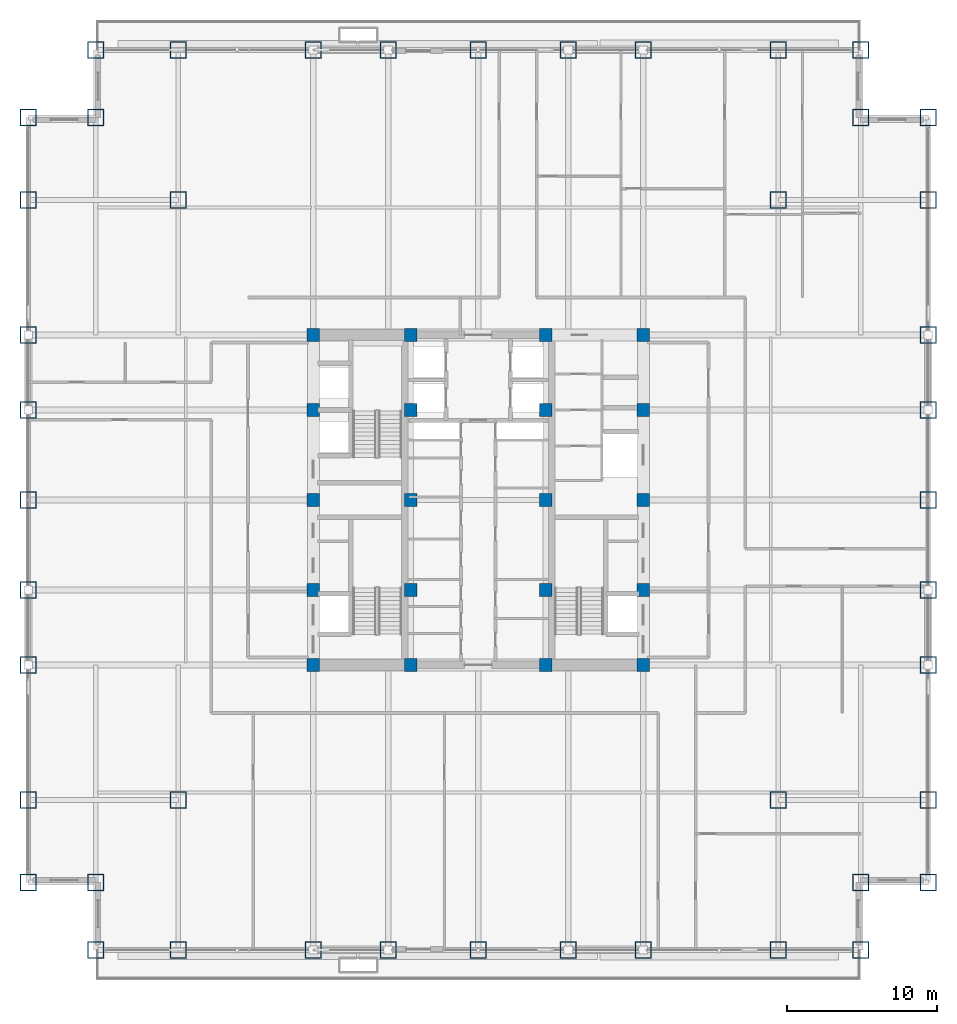
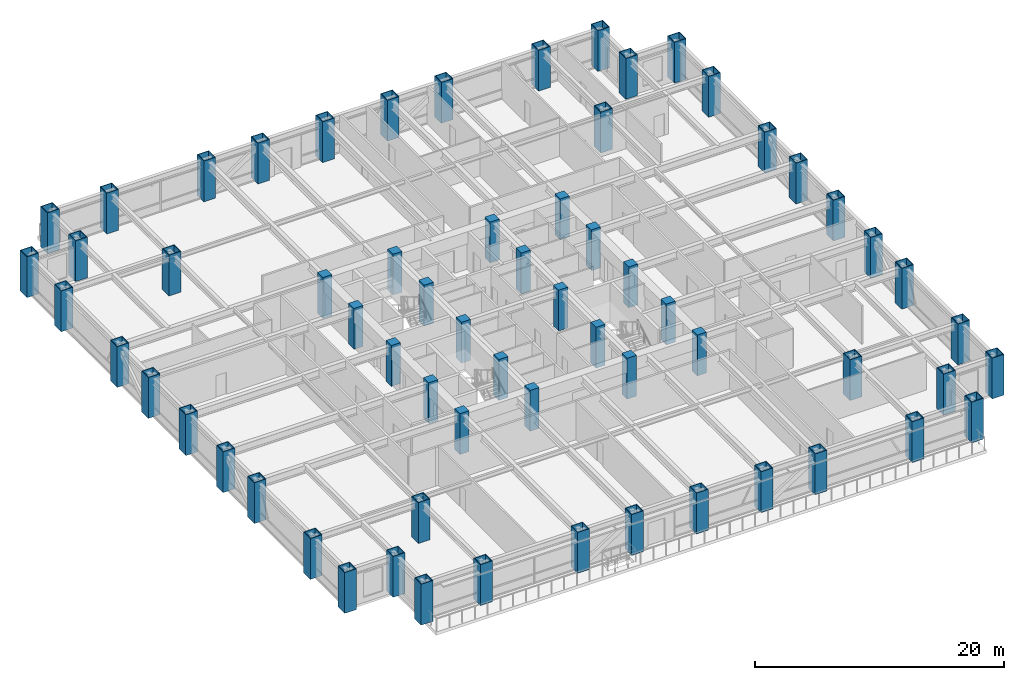
# One storey, part 1 of 35: 64 columns.
"""IFC4 building model written with IfcOpenShell, lengths in metres."""

from ifc_helpers import new_model, si_unit, direction, frame, origin, origin_2d, place, context, subcontext, project, spatial, rectangle, hollow_rectangle, extrude, source, transform, mapped, material, material_profile, profile_set, type_object, element, save


model = new_model("IFC4")

# Units and contexts
model_context = context("Model", 3, precision=1e-05, world=origin(), true_north=direction((0.0, 1.0)))
body_context = subcontext(model_context, "Body", "Model", "MODEL_VIEW")
ifc_project = project(units=[si_unit("LENGTHUNIT", "METRE"), si_unit("AREAUNIT", "SQUARE_METRE"), si_unit("VOLUMEUNIT", "CUBIC_METRE"), si_unit("PLANEANGLEUNIT", "RADIAN"), si_unit("MASSUNIT", "GRAM", prefix="KILO")], contexts=[model_context])

# Site, building, storey
site_placement = place(None, origin())
site = spatial("IfcSite", under=ifc_project, at=site_placement, CompositionType="ELEMENT")
building_placement = place(site_placement, origin())
building = spatial("IfcBuilding", under=site, at=building_placement, Name="Khorayat Bourse Tower", CompositionType="ELEMENT")
storey_placement = place(building_placement, frame((0.0, 0.0, 155.10009765625)))
storey = spatial("IfcBuildingStorey", under=building, at=storey_placement, Name="L35", CompositionType="ELEMENT", Elevation=155.10009765625)

# Columns
ifc_material_1 = material(Name="Steel EN 10025-4 S460M", Category="steel")
ifc_material_profile_1 = material_profile(ifc_material_1, hollow_rectangle(XDim=1.10009765625, YDim=1.10009765625, WallThickness=0.06005859375, at=origin_2d()), Name="BOX 1100x1100x60")
ifc_profile_set_1 = profile_set([ifc_material_profile_1], Name="Steel EN 10025-4 S460M")
column_type_1 = type_object("IfcColumnType", Name="COL-TUBE-1100", PredefinedType="COLUMN", material=ifc_profile_set_1)
shared_shape_1 = source(origin(), body_context, "Body", "SweptSolid", [
    extrude(hollow_rectangle(XDim=1.10009765625, YDim=1.10009765625, WallThickness=0.06005859375, at=origin_2d()), origin(), (0.0, 0.0, 1.0), 4.0),
])
for number, where, z_axis, x_axis, name in (
    (1, (-30.0, -25.5, 0.0), (0.0, 0.0, 1.0), (1.0, 0.0, 0.0), "L35 Column 001"),
    (2, (-30.0, -20.0, 0.0), (0.0, 0.0, 1.0), (1.0, 0.0, 0.0), "L35 Column 002"),
    (3, (-30.0, -11.0, 0.0), (0.0, 0.0, 1.0), (1.0, 0.0, 0.0), "L35 Column 003"),
    (4, (-30.0, -6.0, 0.0), (0.0, 0.0, 1.0), (1.0, 0.0, 0.0), "L35 Column 004"),
    (5, (-30.0, 0.0, 0.0), (0.0, 0.0, 1.0), (1.0, 0.0, 0.0), "L35 Column 005"),
    (6, (-30.0, 6.0, 0.0), (0.0, 0.0, 1.0), (1.0, 0.0, 0.0), "L35 Column 006"),
    (7, (-30.0, 11.0, 0.0), (0.0, 0.0, 1.0), (1.0, 0.0, 0.0), "L35 Column 007"),
    (8, (-30.0, 20.0, 0.0), (0.0, 0.0, 1.0), (1.0, 0.0, 0.0), "L35 Column 008"),
    (9, (-30.0, 25.5, 0.0), (0.0, 0.0, 1.0), (1.0, 0.0, 0.0), "L35 Column 009"),
    (10, (-25.5, -30.0, 0.0), (0.0, 0.0, 1.0), (1.0, 0.0, 0.0), "L35 Column 010"),
    (11, (-25.5, -25.5, 0.0), (0.0, 0.0, 1.0), (1.0, 0.0, 0.0), "L35 Column 011"),
    (12, (-25.5, 25.5, 0.0), (0.0, 0.0, 1.0), (1.0, 0.0, 0.0), "L35 Column 012"),
    (13, (-25.5, 30.0, 0.0), (0.0, 0.0, 1.0), (1.0, 0.0, 0.0), "L35 Column 013"),
    (14, (-20.0, -30.0, 0.0), (0.0, 0.0, 1.0), (1.0, 0.0, 0.0), "L35 Column 014"),
    (15, (-20.0, -20.0, 0.0), (0.0, 0.0, 1.0), (1.0, 0.0, 0.0), "L35 Column 015"),
    (16, (-20.0, 20.0, 0.0), (0.0, 0.0, 1.0), (1.0, 0.0, 0.0), "L35 Column 016"),
    (17, (-20.0, 30.0, 0.0), (0.0, 0.0, 1.0), (1.0, 0.0, 0.0), "L35 Column 017"),
    (18, (-11.0, -30.0, 0.0), (0.0, 0.0, 1.0), (1.0, 0.0, 0.0), "L35 Column 018"),
    (19, (-11.0, 30.0, 0.0), (0.0, 0.0, 1.0), (1.0, 0.0, 0.0), "L35 Column 024"),
    (20, (-6.0, -30.0, 0.0), (0.0, 0.0, 1.0), (1.0, 0.0, 0.0), "L35 Column 025"),
    (21, (-6.0, 30.0, 0.0), (0.0, 0.0, 1.0), (1.0, 0.0, 0.0), "L35 Column 026"),
    (22, (0.0, -30.0, 0.0), (0.0, 0.0, 1.0), (1.0, 0.0, 0.0), "L35 Column 032"),
    (23, (0.0, 30.0, 0.0), (0.0, 0.0, 1.0), (1.0, 0.0, 0.0), "L35 Column 033"),
    (24, (6.0, -30.0, 0.0), (0.0, 0.0, 1.0), (1.0, 0.0, 0.0), "L35 Column 039"),
    (25, (6.0, 30.0, 0.0), (0.0, 0.0, 1.0), (1.0, 0.0, 0.0), "L35 Column 040"),
    (26, (11.0, -30.0, 0.0), (0.0, 0.0, 1.0), (1.0, 0.0, 0.0), "L35 Column 041"),
    (27, (11.0, 30.0, 0.0), (0.0, 0.0, 1.0), (1.0, 0.0, 0.0), "L35 Column 047"),
    (28, (20.0, -30.0, 0.0), (0.0, 0.0, 1.0), (1.0, 0.0, 0.0), "L35 Column 048"),
    (29, (20.0, -20.0, 0.0), (0.0, 0.0, 1.0), (1.0, 0.0, 0.0), "L35 Column 049"),
    (30, (20.0, 20.0, 0.0), (0.0, 0.0, 1.0), (1.0, 0.0, 0.0), "L35 Column 050"),
    (31, (20.0, 30.0, 0.0), (0.0, 0.0, 1.0), (1.0, 0.0, 0.0), "L35 Column 051"),
    (32, (25.5, -30.0, 0.0), (0.0, 0.0, 1.0), (1.0, 0.0, 0.0), "L35 Column 052"),
    (33, (25.5, -25.5, 0.0), (0.0, 0.0, 1.0), (1.0, 0.0, 0.0), "L35 Column 053"),
    (34, (25.5, 25.5, 0.0), (0.0, 0.0, 1.0), (1.0, 0.0, 0.0), "L35 Column 054"),
    (35, (25.5, 30.0, 0.0), (0.0, 0.0, 1.0), (1.0, 0.0, 0.0), "L35 Column 055"),
    (36, (30.0, -25.5, 0.0), (0.0, 0.0, 1.0), (1.0, 0.0, 0.0), "L35 Column 056"),
    (37, (30.0, -20.0, 0.0), (0.0, 0.0, 1.0), (1.0, 0.0, 0.0), "L35 Column 057"),
    (38, (30.0, -11.0, 0.0), (0.0, 0.0, 1.0), (1.0, 0.0, 0.0), "L35 Column 058"),
    (39, (30.0, -6.0, 0.0), (0.0, 0.0, 1.0), (1.0, 0.0, 0.0), "L35 Column 059"),
    (40, (30.0, 0.0, 0.0), (0.0, 0.0, 1.0), (1.0, 0.0, 0.0), "L35 Column 060"),
    (41, (30.0, 6.0, 0.0), (0.0, 0.0, 1.0), (1.0, 0.0, 0.0), "L35 Column 061"),
    (42, (30.0, 11.0, 0.0), (0.0, 0.0, 1.0), (1.0, 0.0, 0.0), "L35 Column 062"),
    (43, (30.0, 20.0, 0.0), (0.0, 0.0, 1.0), (1.0, 0.0, 0.0), "L35 Column 063"),
    (44, (30.0, 25.5, 0.0), (0.0, 0.0, 1.0), (1.0, 0.0, 0.0), "L35 Column 064"),
):
    element("IfcColumn", number, at=place(storey_placement, frame(where, z_axis=z_axis, x_axis=x_axis)), inside=storey, type_object=column_type_1, Name=name, PredefinedType="COLUMN", context=body_context, shape_type="MappedRepresentation", body=[
        mapped(shared_shape_1, transform((0.0, 0.0, 0.0), scale=1.0)),
    ])
ifc_material_2 = material(Name="Concrete C60/75", Category="concrete")
ifc_material_profile_2 = material_profile(ifc_material_2, rectangle(XDim=0.85009765625, YDim=0.85009765625, at=origin_2d()), Name="RC 850x850")
ifc_profile_set_2 = profile_set([ifc_material_profile_2], Name="Concrete C60/75")
column_type_2 = type_object("IfcColumnType", Name="COL-CORE-850", PredefinedType="COLUMN", material=ifc_profile_set_2)
shared_shape_2 = source(origin(), body_context, "Body", "SweptSolid", [
    extrude(rectangle(XDim=0.85009765625, YDim=0.85009765625, at=origin_2d()), origin(), (0.0, 0.0, 1.0), 4.0),
])
for number, where, z_axis, x_axis, name in (
    (45, (-11.0, -11.0, 0.0), (0.0, 0.0, 1.0), (1.0, 0.0, 0.0), "L35 Column 019"),
    (46, (-11.0, -6.0, 0.0), (0.0, 0.0, 1.0), (1.0, 0.0, 0.0), "L35 Column 020"),
    (47, (-11.0, 0.0, 0.0), (0.0, 0.0, 1.0), (1.0, 0.0, 0.0), "L35 Column 021"),
    (48, (-11.0, 6.0, 0.0), (0.0, 0.0, 1.0), (1.0, 0.0, 0.0), "L35 Column 022"),
    (49, (-11.0, 11.0, 0.0), (0.0, 0.0, 1.0), (1.0, 0.0, 0.0), "L35 Column 023"),
    (50, (-4.5, -11.0, 0.0), (0.0, 0.0, 1.0), (1.0, 0.0, 0.0), "L35 Column 027"),
    (51, (-4.5, -6.0, 0.0), (0.0, 0.0, 1.0), (1.0, 0.0, 0.0), "L35 Column 028"),
    (52, (-4.5, 0.0, 0.0), (0.0, 0.0, 1.0), (1.0, 0.0, 0.0), "L35 Column 029"),
    (53, (-4.5, 6.0, 0.0), (0.0, 0.0, 1.0), (1.0, 0.0, 0.0), "L35 Column 030"),
    (54, (-4.5, 11.0, 0.0), (0.0, 0.0, 1.0), (1.0, 0.0, 0.0), "L35 Column 031"),
    (55, (4.5, -11.0, 0.0), (0.0, 0.0, 1.0), (1.0, 0.0, 0.0), "L35 Column 034"),
    (56, (4.5, -6.0, 0.0), (0.0, 0.0, 1.0), (1.0, 0.0, 0.0), "L35 Column 035"),
    (57, (4.5, 0.0, 0.0), (0.0, 0.0, 1.0), (1.0, 0.0, 0.0), "L35 Column 036"),
    (58, (4.5, 6.0, 0.0), (0.0, 0.0, 1.0), (1.0, 0.0, 0.0), "L35 Column 037"),
    (59, (4.5, 11.0, 0.0), (0.0, 0.0, 1.0), (1.0, 0.0, 0.0), "L35 Column 038"),
    (60, (11.0, -11.0, 0.0), (0.0, 0.0, 1.0), (1.0, 0.0, 0.0), "L35 Column 042"),
    (61, (11.0, -6.0, 0.0), (0.0, 0.0, 1.0), (1.0, 0.0, 0.0), "L35 Column 043"),
    (62, (11.0, 0.0, 0.0), (0.0, 0.0, 1.0), (1.0, 0.0, 0.0), "L35 Column 044"),
    (63, (11.0, 6.0, 0.0), (0.0, 0.0, 1.0), (1.0, 0.0, 0.0), "L35 Column 045"),
    (64, (11.0, 11.0, 0.0), (0.0, 0.0, 1.0), (1.0, 0.0, 0.0), "L35 Column 046"),
):
    element("IfcColumn", number, at=place(storey_placement, frame(where, z_axis=z_axis, x_axis=x_axis)), inside=storey, type_object=column_type_2, Name=name, PredefinedType="COLUMN", context=body_context, shape_type="MappedRepresentation", body=[
        mapped(shared_shape_2, transform((0.0, 0.0, 0.0), scale=1.0)),
    ])

save(model, "model.ifc")
